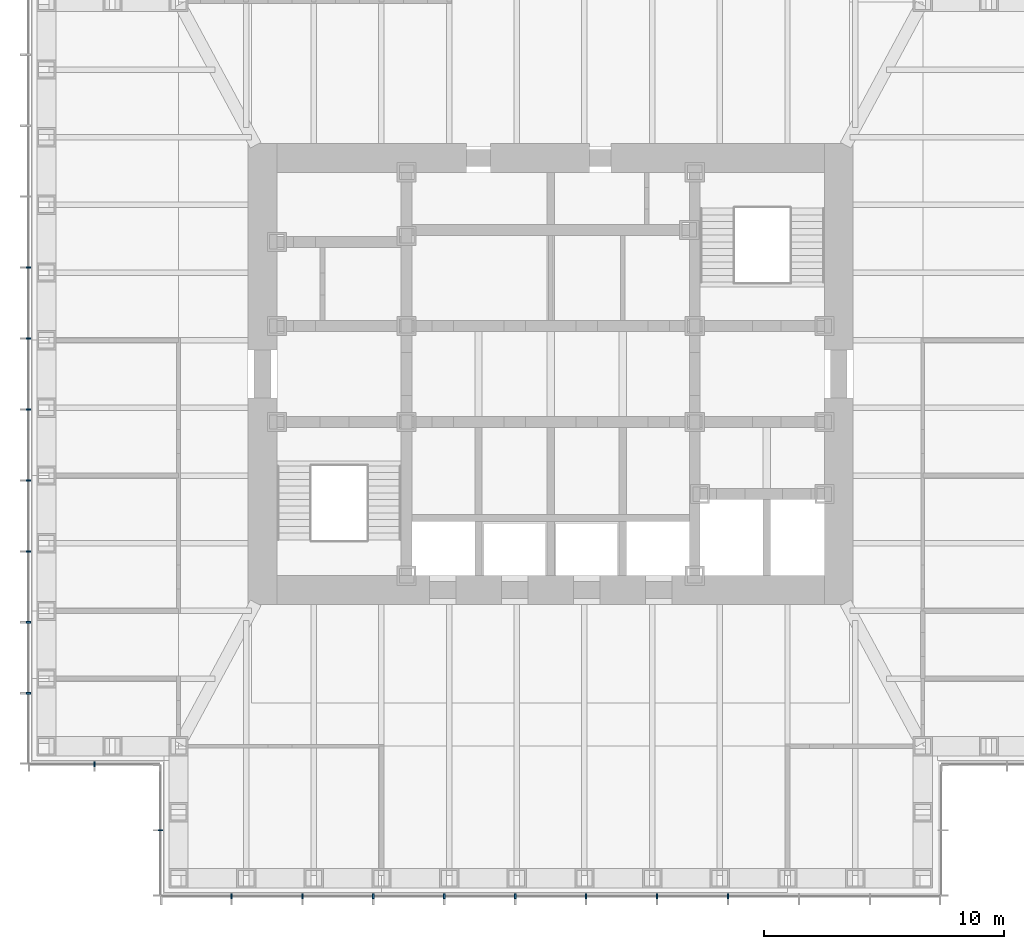
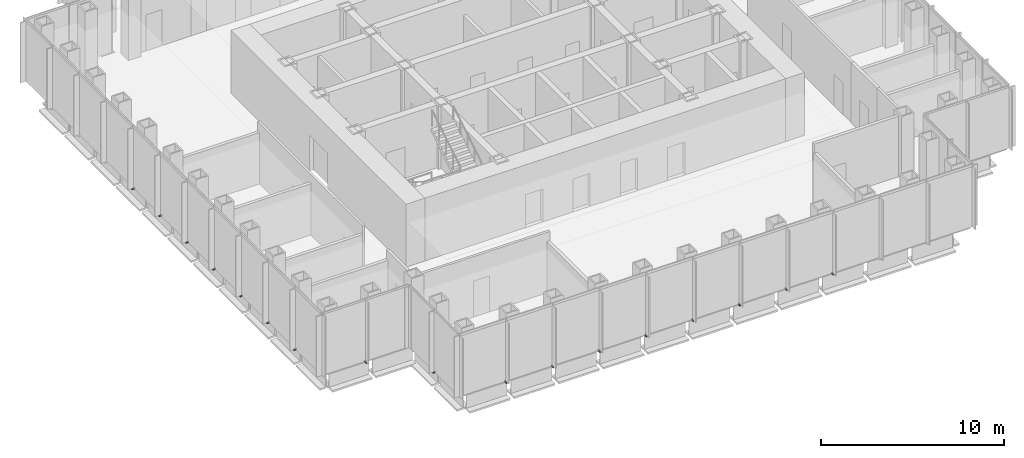
# One storey, part 11 of 16: 17 discrete accessories.
"""IFC4 building model written with IfcOpenShell, lengths in metres."""

from ifc_helpers import new_model, si_unit, direction, frame, origin, origin_2d, place, context, subcontext, project, spatial, rectangle, extrude, element, save


model = new_model("IFC4")

# Units and contexts
model_context = context("Model", 3, precision=1e-05, world=origin(), true_north=direction((0.0, 1.0)))
body_context = subcontext(model_context, "Body", "Model", "MODEL_VIEW")
ifc_project = project(units=[si_unit("LENGTHUNIT", "METRE"), si_unit("AREAUNIT", "SQUARE_METRE"), si_unit("VOLUMEUNIT", "CUBIC_METRE"), si_unit("PLANEANGLEUNIT", "RADIAN"), si_unit("MASSUNIT", "GRAM", prefix="KILO")], contexts=[model_context])

# Site, building, storey
site_placement = place(None, origin())
site = spatial("IfcSite", under=ifc_project, at=site_placement, CompositionType="ELEMENT")
building_placement = place(site_placement, origin())
building = spatial("IfcBuilding", under=site, at=building_placement, Name="Daluyong Arena Tower", CompositionType="ELEMENT")
storey_placement = place(building_placement, frame((0.0, 0.0, 231.699951171875)))
storey = spatial("IfcBuildingStorey", under=building, at=storey_placement, Name="L52", CompositionType="ELEMENT", Elevation=231.699951171875)

# Discrete accessories
for number, where, z_axis, x_axis, name in (
    (1, (42.70458984375, 58.25, -0.10009765625), (0.0, 0.0, 1.0), (1.0, 0.0, 0.0), "curtain wall L52 S anchor bracket 2"),
    (2, (45.6591796875, 58.25, -0.10009765625), (0.0, 0.0, 1.0), (1.0, 0.0, 0.0), "curtain wall L52 S anchor bracket 3"),
    (3, (48.613525390625, 58.25, -0.10009765625), (0.0, 0.0, 1.0), (1.0, 0.0, 0.0), "curtain wall L52 S anchor bracket 4"),
    (4, (51.568115234375, 58.25, -0.10009765625), (0.0, 0.0, 1.0), (1.0, 0.0, 0.0), "curtain wall L52 S anchor bracket 5"),
    (5, (54.522705078125, 58.25, -0.10009765625), (0.0, 0.0, 1.0), (1.0, 0.0, 0.0), "curtain wall L52 S anchor bracket 6"),
    (6, (57.477294921875, 58.25, -0.10009765625), (0.0, 0.0, 1.0), (1.0, 0.0, 0.0), "curtain wall L52 S anchor bracket 7"),
    (7, (60.431884765625, 58.25, -0.10009765625), (0.0, 0.0, 1.0), (1.0, 0.0, 0.0), "curtain wall L52 S anchor bracket 8"),
    (8, (63.386474609375, 58.25, -0.10009765625), (0.0, 0.0, 1.0), (1.0, 0.0, 0.0), "curtain wall L52 S anchor bracket 9"),
    (9, (34.25, 84.431884765625, -0.10009765625), (0.0, 0.0, 1.0), (0.0, -1.0, 0.0), "curtain wall L52 W anchor bracket 5"),
    (10, (34.25, 81.477294921875, -0.10009765625), (0.0, 0.0, 1.0), (0.0, -1.0, 0.0), "curtain wall L52 W anchor bracket 6"),
    (11, (34.25, 78.522705078125, -0.10009765625), (0.0, 0.0, 1.0), (0.0, -1.0, 0.0), "curtain wall L52 W anchor bracket 7"),
    (12, (34.25, 75.568115234375, -0.10009765625), (0.0, 0.0, 1.0), (0.0, -1.0, 0.0), "curtain wall L52 W anchor bracket 8"),
    (13, (34.25, 72.613525390625, -0.10009765625), (0.0, 0.0, 1.0), (0.0, -1.0, 0.0), "curtain wall L52 W anchor bracket 9"),
    (14, (34.25, 69.6591796875, -0.10009765625), (0.0, 0.0, 1.0), (0.0, -1.0, 0.0), "curtain wall L52 W anchor bracket 10"),
    (15, (34.25, 66.70458984375, -0.10009765625), (0.0, 0.0, 1.0), (0.0, -1.0, 0.0), "curtain wall L52 W anchor bracket 11"),
):
    element("IfcDiscreteAccessory", number, at=place(storey_placement, frame(where, z_axis=z_axis, x_axis=x_axis)), inside=storey, Name=name, PredefinedType="BRACKET", context=body_context, shape_type="SweptSolid", body=[
        extrude(rectangle(XDim=0.070068359375, YDim=0.199951171875, at=origin_2d()), origin(), (0.0, 0.0, 1.0), 0.10009765625),
    ])
for number, where, z_axis, x_axis, name in (
    (16, (37.0, 63.75, -0.10009765625), (0.0, 0.0, 1.0), (1.0, 0.0, 0.0), "curtain wall L52 SW-S anchor bracket 2"),
    (17, (39.75, 61.0, -0.10009765625), (0.0, 0.0, 1.0), (0.0, -1.0, 0.0), "curtain wall L52 SW-W anchor bracket 2"),
):
    element("IfcDiscreteAccessory", number, at=place(storey_placement, frame(where, z_axis=z_axis, x_axis=x_axis)), inside=storey, Name=name, PredefinedType="BRACKET", context=body_context, shape_type="SweptSolid", body=[
        extrude(rectangle(XDim=0.06005859375, YDim=0.199951171875, at=origin_2d()), origin(), (0.0, 0.0, 1.0), 0.10009765625),
    ])

save(model, "model.ifc")
